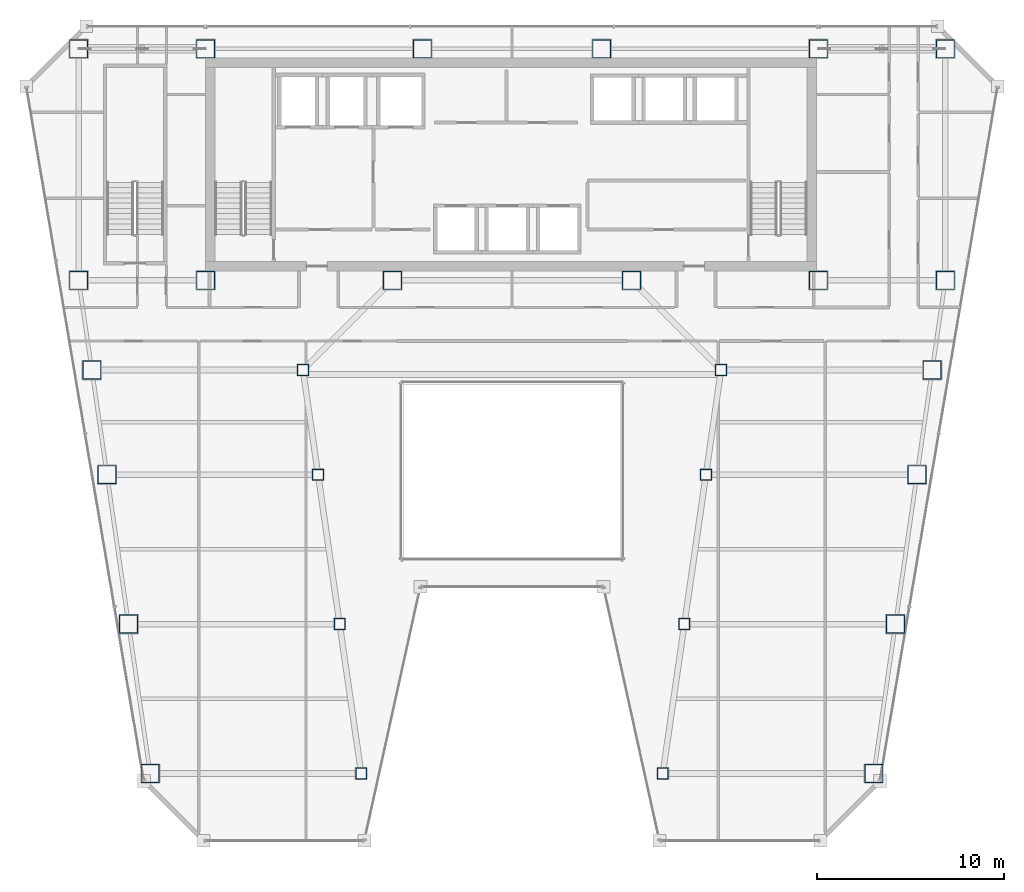
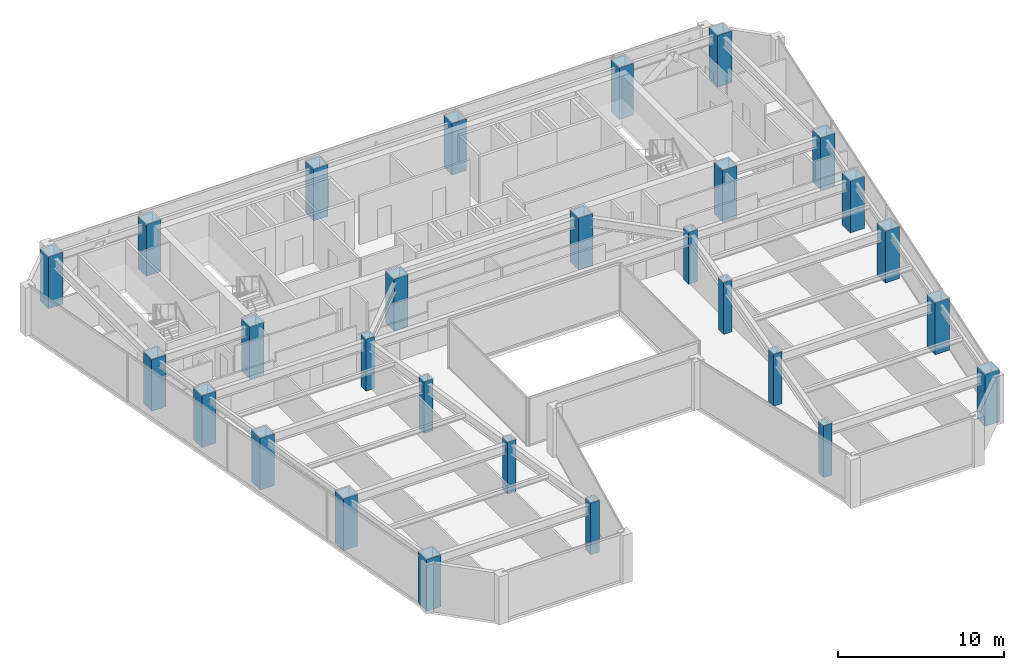
# One storey, part 1 of 35: 28 columns.
"""IFC4 building model written with IfcOpenShell, lengths in metres."""

from ifc_helpers import new_model, si_unit, direction, frame, origin, origin_2d, place, context, subcontext, project, spatial, hollow_rectangle, extrude, material, material_profile, profile_set, type_object, element, save


model = new_model("IFC4")

# Units and contexts
model_context = context("Model", 3, precision=1e-05, world=origin(), true_north=direction((0.0, 1.0)))
body_context = subcontext(model_context, "Body", "Model", "MODEL_VIEW")
ifc_project = project(units=[si_unit("LENGTHUNIT", "METRE"), si_unit("AREAUNIT", "SQUARE_METRE"), si_unit("VOLUMEUNIT", "CUBIC_METRE"), si_unit("PLANEANGLEUNIT", "RADIAN"), si_unit("MASSUNIT", "GRAM", prefix="KILO")], contexts=[model_context])

# Site, building, storey
site_placement = place(None, origin())
site = spatial("IfcSite", under=ifc_project, at=site_placement, CompositionType="ELEMENT")
building_placement = place(site_placement, origin())
building = spatial("IfcBuilding", under=site, at=building_placement, Name="Saevonmaru Cultural Tower", CompositionType="ELEMENT")
storey_placement = place(building_placement, frame((0.0, 0.0, 179.0)))
storey = spatial("IfcBuildingStorey", under=building, at=storey_placement, Name="L40", CompositionType="ELEMENT", Elevation=179.0)

# Columns
ifc_material_1 = material(Name="Steel SM420", Category="steel")
ifc_material_profile_1 = material_profile(ifc_material_1, hollow_rectangle(XDim=1.0, YDim=1.0, WallThickness=0.044921875, at=origin_2d()), Name="BOX-1000x1000x45")
ifc_profile_set_1 = profile_set([ifc_material_profile_1], Name="Steel SM420")
column_type_1 = type_object("IfcColumnType", Name="COL-BOX-1000", PredefinedType="COLUMN", material=ifc_profile_set_1)
for number, where, z_axis, x_axis, name in (
    (1, (6.800048828125, 54.800048828125, 0.0), (0.0, 0.0, 1.0), (1.0, 0.0, 0.0), "L40 Column TC-N1N"),
    (2, (13.60009765625, 54.800048828125, 0.0), (0.0, 0.0, 1.0), (1.0, 0.0, 0.0), "L40 Column TC-N2N"),
    (3, (25.199951171875, 54.800048828125, 0.0), (0.0, 0.0, 1.0), (1.0, 0.0, 0.0), "L40 Column TC-N3N"),
    (4, (34.800048828125, 54.800048828125, 0.0), (0.0, 0.0, 1.0), (1.0, 0.0, 0.0), "L40 Column TC-N4N"),
    (5, (46.39990234375, 54.800048828125, 0.0), (0.0, 0.0, 1.0), (1.0, 0.0, 0.0), "L40 Column TC-N5N"),
    (6, (53.199951171875, 54.800048828125, 0.0), (0.0, 0.0, 1.0), (1.0, 0.0, 0.0), "L40 Column TC-N6N"),
    (7, (6.800048828125, 42.39990234375, 0.0), (0.0, 0.0, 1.0), (1.0, 0.0, 0.0), "L40 Column TC-S1C"),
    (8, (13.60009765625, 42.39990234375, 0.0), (0.0, 0.0, 1.0), (1.0, 0.0, 0.0), "L40 Column TC-S2C"),
    (9, (23.60009765625, 42.39990234375, 0.0), (0.0, 0.0, 1.0), (1.0, 0.0, 0.0), "L40 Column TC-S3C"),
    (10, (36.39990234375, 42.39990234375, 0.0), (0.0, 0.0, 1.0), (1.0, 0.0, 0.0), "L40 Column TC-S4C"),
    (11, (46.39990234375, 42.39990234375, 0.0), (0.0, 0.0, 1.0), (1.0, 0.0, 0.0), "L40 Column TC-S5C"),
    (12, (53.199951171875, 42.39990234375, 0.0), (0.0, 0.0, 1.0), (1.0, 0.0, 0.0), "L40 Column TC-S6C"),
    (13, (10.6279296875, 16.0, 0.0), (0.0, 0.0, 1.0), (1.0, 0.0, 0.0), "L40 Column TC-WO-Y160"),
    (14, (49.3720703125, 16.0, 0.0), (0.0, 0.0, 1.0), (1.0, 0.0, 0.0), "L40 Column TC-EO-Y160"),
    (15, (9.471923828125, 24.0, 0.0), (0.0, 0.0, 1.0), (1.0, 0.0, 0.0), "L40 Column TC-WO-Y240"),
    (16, (50.528076171875, 24.0, 0.0), (0.0, 0.0, 1.0), (1.0, 0.0, 0.0), "L40 Column TC-EO-Y240"),
    (17, (8.31689453125, 32.0, 0.0), (0.0, 0.0, 1.0), (1.0, 0.0, 0.0), "L40 Column TC-WO-Y320"),
    (18, (51.68310546875, 32.0, 0.0), (0.0, 0.0, 1.0), (1.0, 0.0, 0.0), "L40 Column TC-EO-Y320"),
    (19, (7.508056640625, 37.60009765625, 0.0), (0.0, 0.0, 1.0), (1.0, 0.0, 0.0), "L40 Column TC-WO-Y376"),
    (20, (52.491943359375, 37.60009765625, 0.0), (0.0, 0.0, 1.0), (1.0, 0.0, 0.0), "L40 Column TC-EO-Y376"),
):
    element("IfcColumn", number, at=place(storey_placement, frame(where, z_axis=z_axis, x_axis=x_axis)), inside=storey, type_object=column_type_1, Name=name, PredefinedType="COLUMN", context=body_context, shape_type="SweptSolid", body=[
        extrude(hollow_rectangle(XDim=1.0, YDim=1.0, WallThickness=0.044921875, at=origin_2d()), origin(), (0.0, 0.0, 1.0), 3.800048828125),
    ])
ifc_material_2 = material(Name="Steel SM355", Category="steel")
ifc_material_profile_2 = material_profile(ifc_material_2, hollow_rectangle(XDim=0.60009765625, YDim=0.60009765625, WallThickness=0.028076171875, at=origin_2d()), Name="BOX-600x600x28")
ifc_profile_set_2 = profile_set([ifc_material_profile_2], Name="Steel SM355")
column_type_2 = type_object("IfcColumnType", Name="COL-BOX-600", PredefinedType="COLUMN", material=ifc_profile_set_2)
for number, where, z_axis, x_axis, name in (
    (21, (21.927978515625, 16.0, 0.0), (0.0, 0.0, 1.0), (1.0, 0.0, 0.0), "L40 Column TC-WI-Y160"),
    (22, (38.072021484375, 16.0, 0.0), (0.0, 0.0, 1.0), (1.0, 0.0, 0.0), "L40 Column TC-EI-Y160"),
    (23, (20.77197265625, 24.0, 0.0), (0.0, 0.0, 1.0), (1.0, 0.0, 0.0), "L40 Column TC-WI-Y240"),
    (24, (39.22802734375, 24.0, 0.0), (0.0, 0.0, 1.0), (1.0, 0.0, 0.0), "L40 Column TC-EI-Y240"),
    (25, (19.616943359375, 32.0, 0.0), (0.0, 0.0, 1.0), (1.0, 0.0, 0.0), "L40 Column TC-WI-Y320"),
    (26, (40.383056640625, 32.0, 0.0), (0.0, 0.0, 1.0), (1.0, 0.0, 0.0), "L40 Column TC-EI-Y320"),
    (27, (18.80810546875, 37.60009765625, 0.0), (0.0, 0.0, 1.0), (1.0, 0.0, 0.0), "L40 Column TC-WI-Y376"),
    (28, (41.19189453125, 37.60009765625, 0.0), (0.0, 0.0, 1.0), (1.0, 0.0, 0.0), "L40 Column TC-EI-Y376"),
):
    element("IfcColumn", number, at=place(storey_placement, frame(where, z_axis=z_axis, x_axis=x_axis)), inside=storey, type_object=column_type_2, Name=name, PredefinedType="COLUMN", context=body_context, shape_type="SweptSolid", body=[
        extrude(hollow_rectangle(XDim=0.60009765625, YDim=0.60009765625, WallThickness=0.028076171875, at=origin_2d()), origin(), (0.0, 0.0, 1.0), 3.800048828125),
    ])

save(model, "model.ifc")
